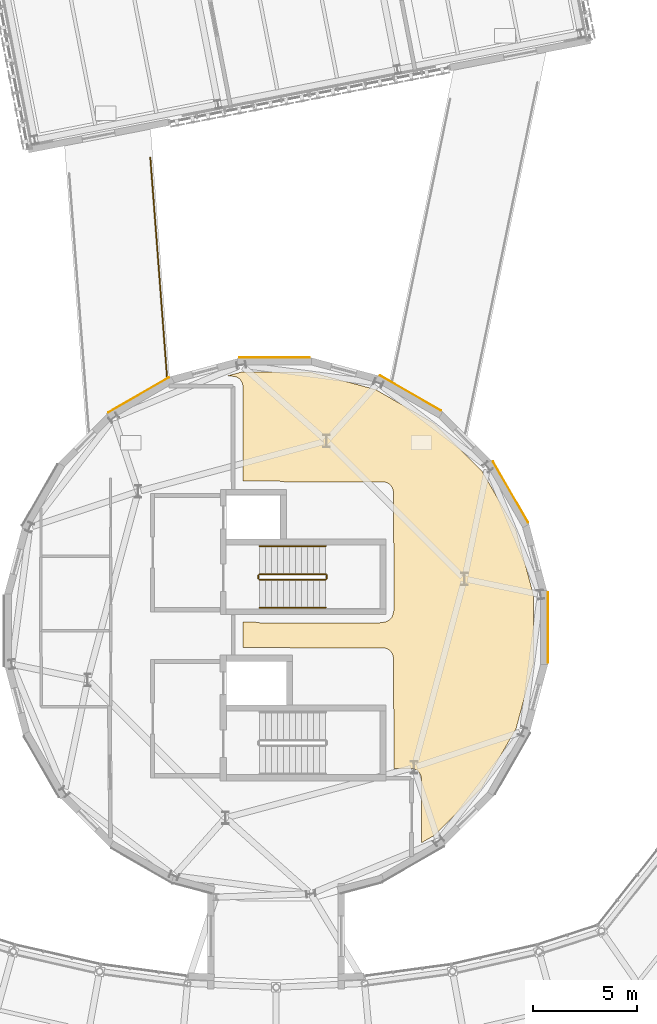
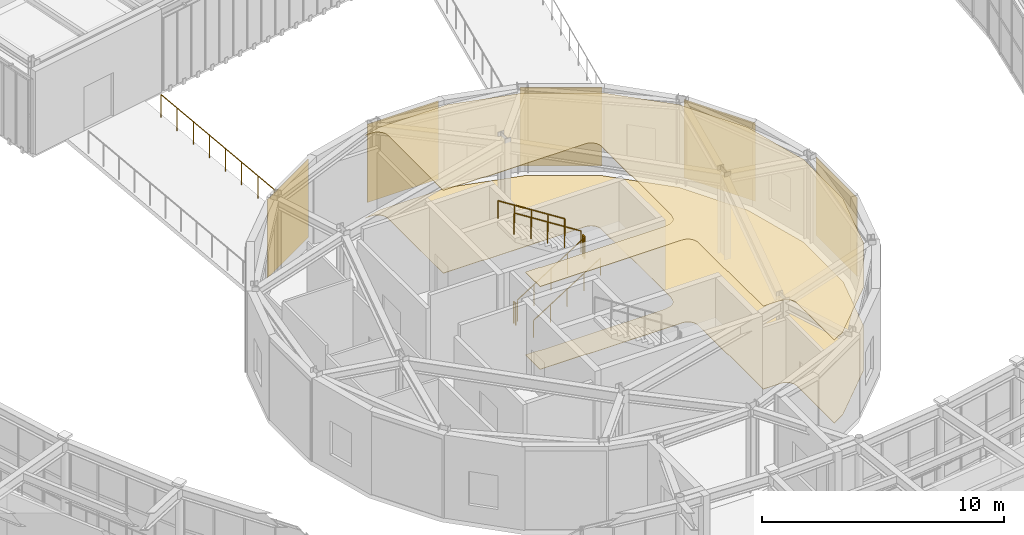
# One storey, part 95 of 103: 7 coverings, 7 railings.
"""IFC4 building model written with IfcOpenShell, lengths in metres."""

from ifc_helpers import new_model, si_unit, direction, frame, origin, origin_2d, place, context, subcontext, project, spatial, polyline, rectangle, circle, outline, extrude, material, layer, layer_set, type_object, element, save


model = new_model("IFC4")

# Units and contexts
model_context = context("Model", 3, precision=1e-05, world=origin(), true_north=direction((0.0, 1.0)))
body_context = subcontext(model_context, "Body", "Model", "MODEL_VIEW")
ifc_project = project(units=[si_unit("LENGTHUNIT", "METRE"), si_unit("AREAUNIT", "SQUARE_METRE"), si_unit("VOLUMEUNIT", "CUBIC_METRE"), si_unit("PLANEANGLEUNIT", "RADIAN"), si_unit("MASSUNIT", "GRAM", prefix="KILO")], contexts=[model_context])

# Site, building, storey
site_placement = place(None, origin())
site = spatial("IfcSite", under=ifc_project, at=site_placement, CompositionType="ELEMENT")
building_placement = place(site_placement, origin())
building = spatial("IfcBuilding", under=site, at=building_placement, Name="Varnklinge Art Gallery", CompositionType="ELEMENT")
storey_placement = place(building_placement, frame((0.0, 0.0, 5.10009765625)))
storey = spatial("IfcBuildingStorey", under=building, at=storey_placement, Name="L01", CompositionType="ELEMENT", Elevation=5.10009765625)

# Railing
ifc_material_1 = material(Name="Anodised Aluminium", Category="aluminium")
railing_type_1 = type_object("IfcRailingType", Name="BAL-EXT", PredefinedType="BALUSTRADE", material=ifc_material_1)
railing_1_placement = place(storey_placement, frame((70.246826171875, 50.636474609375, 0.0)))
element("IfcRailing", 1, at=railing_1_placement, inside=storey, type_object=railing_type_1, Name="L01 West Sculpture Court Bridge Balustrade W1", PredefinedType="BALUSTRADE", context=body_context, shape_type="SweptSolid", body=[
    extrude(circle(Radius=0.02392578125, at=origin_2d()), frame((0.0, 0.0, 1.1357421875), z_axis=(-0.075922017673, 0.997113758421, 0.0), x_axis=(-0.997113758421, -0.075922017673, 0.0)), (0.0, 0.0, 1.0), 10.631103515625),
    extrude(circle(Radius=0.02099609375, at=origin_2d()), origin(), (0.0, 0.0, 1.0), 1.11181640625),
    extrude(circle(Radius=0.02099609375, at=origin_2d()), frame((-0.089599609375, 1.177734375, 0.0)), (0.0, 0.0, 1.0), 1.11181640625),
    extrude(circle(Radius=0.02099609375, at=origin_2d()), frame((-0.179443359375, 2.355712890625, 0.0)), (0.0, 0.0, 1.0), 1.11181640625),
    extrude(circle(Radius=0.02099609375, at=origin_2d()), frame((-0.26904296875, 3.533447265625, 0.0)), (0.0, 0.0, 1.0), 1.11181640625),
    extrude(circle(Radius=0.02099609375, at=origin_2d()), frame((-0.358642578125, 4.711181640625, 0.0)), (0.0, 0.0, 1.0), 1.11181640625),
    extrude(circle(Radius=0.02099609375, at=origin_2d()), frame((-0.448486328125, 5.88916015625, 0.0)), (0.0, 0.0, 1.0), 1.11181640625),
    extrude(circle(Radius=0.02099609375, at=origin_2d()), frame((-0.5380859375, 7.06689453125, 0.0)), (0.0, 0.0, 1.0), 1.11181640625),
    extrude(circle(Radius=0.02099609375, at=origin_2d()), frame((-0.627685546875, 8.24462890625, 0.0)), (0.0, 0.0, 1.0), 1.11181640625),
    extrude(circle(Radius=0.02099609375, at=origin_2d()), frame((-0.717529296875, 9.422607421875, 0.0)), (0.0, 0.0, 1.0), 1.11181640625),
    extrude(circle(Radius=0.02099609375, at=origin_2d()), frame((-0.80712890625, 10.600341796875, 0.0)), (0.0, 0.0, 1.0), 1.11181640625),
])

# Coverings
ifc_material_2 = material(Name="Pre-weathered Zinc", Category="metal")
ifc_layer_1 = layer(ifc_material_2, 0.02490234375)
ifc_layer_set_1 = layer_set([ifc_layer_1], Name="Pre-weathered Zinc")
covering_type_1 = type_object("IfcCoveringType", Name="CLD-ZNC", PredefinedType="CLADDING", material=ifc_layer_set_1)
for number, where, z_axis, x_axis, name in (
    (2, (88.599609375, 38.5849609375, 0.041015625), (0.0, 0.0, 1.0), (0.0, -1.0, 0.0), "L01 Brushed Zinc Drum Cladding EW-V4D-L01-01"),
    (3, (68.876708984375, 49.802001953125, 0.041015625), (0.0, 0.0, 1.0), (0.866025403784, 0.5, 0.0), "L01 Brushed Zinc Drum Cladding EW-V4D-L01-16"),
    (4, (75.4150390625, 51.599609375, 0.041015625), (0.0, 0.0, 1.0), (1.0, 0.0, 0.0), "L01 Brushed Zinc Drum Cladding EW-V4D-L01-18"),
    (5, (81.976318359375, 49.88720703125, 0.041015625), (0.0, 0.0, 1.0), (0.866025403784, -0.5, 0.0), "L01 Brushed Zinc Drum Cladding EW-V4D-L01-20"),
    (6, (86.802001953125, 45.123291015625, 0.041015625), (0.0, 0.0, 1.0), (0.5, -0.866025403784, 0.0), "L01 Brushed Zinc Drum Cladding EW-V4D-L01-22"),
):
    element("IfcCovering", number, at=place(storey_placement, frame(where, z_axis=z_axis, x_axis=x_axis)), inside=storey, type_object=covering_type_1, Name=name, PredefinedType="CLADDING", context=body_context, shape_type="SweptSolid", body=[
        extrude(rectangle(XDim=3.39111328125, YDim=0.02490234375, at=origin_2d()), origin(), (0.0, 0.0, 1.0), 3.949951171875),
    ])
ifc_material_3 = material(Name="Acoustic Mineral Tile", Category="mineral")
ifc_layer_2 = layer(ifc_material_3, 0.02490234375)
ifc_layer_set_2 = layer_set([ifc_layer_2], Name="Acoustic Mineral Tile")
covering_type_2 = type_object("IfcCoveringType", Name="CLG-AC", PredefinedType="CEILING", material=ifc_layer_set_2)
covering_1_placement = place(storey_placement, frame((0.0, 0.0, 4.1748046875)))
element("IfcCovering", 7, at=covering_1_placement, inside=storey, type_object=covering_type_2, Name="L01 Acoustic Mineral Ceiling 025", PredefinedType="CEILING", context=body_context, shape_type="SweptSolid", body=[
    extrude(outline(polyline([(73.39990234375, 50.699951171875), (73.448974609375, 50.697509765625), (73.49755859375, 50.6904296875), (73.545166015625, 50.678466796875), (73.59130859375, 50.661865234375), (73.6357421875, 50.64111328125), (73.677734375, 50.61572265625), (73.71728515625, 50.58642578125), (73.753662109375, 50.5537109375), (73.78662109375, 50.51708984375), (73.815673828125, 50.477783203125), (73.841064453125, 50.435791015625), (73.86181640625, 50.391357421875), (73.87841796875, 50.34521484375), (73.890380859375, 50.297607421875), (73.897705078125, 50.2490234375), (73.89990234375, 50.199951171875), (73.89990234375, 45.639892578125), (75.699951171875, 45.639892578125), (75.7734375, 45.634521484375), (75.82568359375, 45.626708984375), (75.87353515625, 45.6171875), (75.897705078125, 45.610107421875), (80.64990234375, 45.610107421875), (80.698974609375, 45.607666015625), (80.74755859375, 45.600341796875), (80.795166015625, 45.58837890625), (80.84130859375, 45.572021484375), (80.8857421875, 45.551025390625), (80.927734375, 45.525634765625), (80.96728515625, 45.49658203125), (81.003662109375, 45.463623046875), (81.03662109375, 45.42724609375), (81.065673828125, 45.3876953125), (81.091064453125, 45.345703125), (81.11181640625, 45.30126953125), (81.12841796875, 45.255126953125), (81.140380859375, 45.20751953125), (81.147705078125, 45.158935546875), (81.14990234375, 45.110107421875), (81.14990234375, 42.7578125), (81.1572265625, 42.7333984375), (81.166748046875, 42.685546875), (81.174560546875, 42.63330078125), (81.1787109375, 42.5966796875), (81.179931640625, 42.56005859375), (81.179931640625, 39.5), (81.1787109375, 39.463134765625), (81.174560546875, 39.426513671875), (81.166748046875, 39.37451171875), (81.1572265625, 39.326416015625), (81.145751953125, 39.287841796875), (81.140380859375, 39.25244140625), (81.12841796875, 39.204833984375), (81.11181640625, 39.15869140625), (81.091064453125, 39.1142578125), (81.065673828125, 39.072265625), (81.03662109375, 39.03271484375), (81.003662109375, 38.996337890625), (80.96728515625, 38.96337890625), (80.927734375, 38.934326171875), (80.8857421875, 38.908935546875), (80.84130859375, 38.88818359375), (80.795166015625, 38.87158203125), (80.74755859375, 38.859619140625), (80.712158203125, 38.854248046875), (80.673583984375, 38.8427734375), (80.62548828125, 38.833251953125), (80.573486328125, 38.825439453125), (80.5, 38.820068359375), (74.72509765625, 38.820068359375), (74.651611328125, 38.825439453125), (74.599365234375, 38.833251953125), (74.551513671875, 38.8427734375), (74.52734375, 38.85009765625), (73.89990234375, 38.85009765625), (73.89990234375, 37.639892578125), (76.0, 37.639892578125), (76.073486328125, 37.634521484375), (76.12548828125, 37.626708984375), (76.173583984375, 37.6171875), (76.19775390625, 37.610107421875), (80.64990234375, 37.610107421875), (80.698974609375, 37.607666015625), (80.74755859375, 37.600341796875), (80.795166015625, 37.58837890625), (80.84130859375, 37.572021484375), (80.8857421875, 37.551025390625), (80.927734375, 37.525634765625), (80.96728515625, 37.49658203125), (81.003662109375, 37.463623046875), (81.03662109375, 37.42724609375), (81.065673828125, 37.3876953125), (81.091064453125, 37.345703125), (81.11181640625, 37.30126953125), (81.12841796875, 37.255126953125), (81.140380859375, 37.20751953125), (81.147705078125, 37.158935546875), (81.14990234375, 37.110107421875), (81.14990234375, 34.7578125), (81.1572265625, 34.7333984375), (81.166748046875, 34.685546875), (81.174560546875, 34.63330078125), (81.1787109375, 34.5966796875), (81.179931640625, 34.56005859375), (81.179931640625, 31.800048828125), (82.0, 31.800048828125), (82.049072265625, 31.797607421875), (82.097412109375, 31.790283203125), (82.14501953125, 31.778564453125), (82.19140625, 31.761962890625), (82.235595703125, 31.740966796875), (82.27783203125, 31.7158203125), (82.317138671875, 31.6865234375), (82.353515625, 31.653564453125), (82.386474609375, 31.6171875), (82.415771484375, 31.577880859375), (82.44091796875, 31.53564453125), (82.4619140625, 31.4912109375), (82.478515625, 31.445068359375), (82.490478515625, 31.3974609375), (82.49755859375, 31.34912109375), (82.5, 31.300048828125), (82.5, 28.215087890625), (83.1181640625, 28.57177734375), (85.42822265625, 30.8818359375), (87.0615234375, 33.711181640625), (87.906982421875, 36.86669921875), (87.906982421875, 40.13330078125), (87.0615234375, 43.288818359375), (85.42822265625, 46.1181640625), (83.1181640625, 48.42822265625), (80.288818359375, 50.0615234375), (77.13330078125, 50.906982421875), (73.86669921875, 50.906982421875), (73.09375, 50.699951171875), (73.39990234375, 50.699951171875)])), origin(), (0.0, 0.0, 1.0), 0.025146484375),
])
ifc_material_4 = material(Name="Polished Terrazzo Flooring", Category="stone")
ifc_layer_3 = layer(ifc_material_4, 0.02001953125)
ifc_layer_set_3 = layer_set([ifc_layer_3], Name="Polished Terrazzo Flooring")
covering_type_3 = type_object("IfcCoveringType", Name="FLR-STN", PredefinedType="FLOORING", material=ifc_layer_set_3)
covering_2_placement = place(storey_placement, origin())
element("IfcCovering", 8, at=covering_2_placement, inside=storey, type_object=covering_type_3, Name="L01 Gallery Terrazzo Flooring 025", PredefinedType="FLOORING", context=body_context, shape_type="SweptSolid", body=[
    extrude(outline(polyline([(73.39990234375, 50.699951171875), (73.448974609375, 50.697509765625), (73.49755859375, 50.6904296875), (73.545166015625, 50.678466796875), (73.59130859375, 50.661865234375), (73.6357421875, 50.64111328125), (73.677734375, 50.61572265625), (73.71728515625, 50.58642578125), (73.753662109375, 50.5537109375), (73.78662109375, 50.51708984375), (73.815673828125, 50.477783203125), (73.841064453125, 50.435791015625), (73.86181640625, 50.391357421875), (73.87841796875, 50.34521484375), (73.890380859375, 50.297607421875), (73.897705078125, 50.2490234375), (73.89990234375, 50.199951171875), (73.89990234375, 45.639892578125), (75.699951171875, 45.639892578125), (75.7734375, 45.634521484375), (75.82568359375, 45.626708984375), (75.87353515625, 45.6171875), (75.897705078125, 45.610107421875), (80.64990234375, 45.610107421875), (80.698974609375, 45.607666015625), (80.74755859375, 45.600341796875), (80.795166015625, 45.58837890625), (80.84130859375, 45.572021484375), (80.8857421875, 45.551025390625), (80.927734375, 45.525634765625), (80.96728515625, 45.49658203125), (81.003662109375, 45.463623046875), (81.03662109375, 45.42724609375), (81.065673828125, 45.3876953125), (81.091064453125, 45.345703125), (81.11181640625, 45.30126953125), (81.12841796875, 45.255126953125), (81.140380859375, 45.20751953125), (81.147705078125, 45.158935546875), (81.14990234375, 45.110107421875), (81.14990234375, 42.7578125), (81.1572265625, 42.7333984375), (81.166748046875, 42.685546875), (81.174560546875, 42.63330078125), (81.1787109375, 42.5966796875), (81.179931640625, 42.56005859375), (81.179931640625, 39.5), (81.1787109375, 39.463134765625), (81.174560546875, 39.426513671875), (81.166748046875, 39.37451171875), (81.1572265625, 39.326416015625), (81.145751953125, 39.287841796875), (81.140380859375, 39.25244140625), (81.12841796875, 39.204833984375), (81.11181640625, 39.15869140625), (81.091064453125, 39.1142578125), (81.065673828125, 39.072265625), (81.03662109375, 39.03271484375), (81.003662109375, 38.996337890625), (80.96728515625, 38.96337890625), (80.927734375, 38.934326171875), (80.8857421875, 38.908935546875), (80.84130859375, 38.88818359375), (80.795166015625, 38.87158203125), (80.74755859375, 38.859619140625), (80.712158203125, 38.854248046875), (80.673583984375, 38.8427734375), (80.62548828125, 38.833251953125), (80.573486328125, 38.825439453125), (80.5, 38.820068359375), (74.72509765625, 38.820068359375), (74.651611328125, 38.825439453125), (74.599365234375, 38.833251953125), (74.551513671875, 38.8427734375), (74.52734375, 38.85009765625), (73.89990234375, 38.85009765625), (73.89990234375, 37.639892578125), (76.0, 37.639892578125), (76.073486328125, 37.634521484375), (76.12548828125, 37.626708984375), (76.173583984375, 37.6171875), (76.19775390625, 37.610107421875), (80.64990234375, 37.610107421875), (80.698974609375, 37.607666015625), (80.74755859375, 37.600341796875), (80.795166015625, 37.58837890625), (80.84130859375, 37.572021484375), (80.8857421875, 37.551025390625), (80.927734375, 37.525634765625), (80.96728515625, 37.49658203125), (81.003662109375, 37.463623046875), (81.03662109375, 37.42724609375), (81.065673828125, 37.3876953125), (81.091064453125, 37.345703125), (81.11181640625, 37.30126953125), (81.12841796875, 37.255126953125), (81.140380859375, 37.20751953125), (81.147705078125, 37.158935546875), (81.14990234375, 37.110107421875), (81.14990234375, 34.7578125), (81.1572265625, 34.7333984375), (81.166748046875, 34.685546875), (81.174560546875, 34.63330078125), (81.1787109375, 34.5966796875), (81.179931640625, 34.56005859375), (81.179931640625, 31.800048828125), (82.0, 31.800048828125), (82.049072265625, 31.797607421875), (82.097412109375, 31.790283203125), (82.14501953125, 31.778564453125), (82.19140625, 31.761962890625), (82.235595703125, 31.740966796875), (82.27783203125, 31.7158203125), (82.317138671875, 31.6865234375), (82.353515625, 31.653564453125), (82.386474609375, 31.6171875), (82.415771484375, 31.577880859375), (82.44091796875, 31.53564453125), (82.4619140625, 31.4912109375), (82.478515625, 31.445068359375), (82.490478515625, 31.3974609375), (82.49755859375, 31.34912109375), (82.5, 31.300048828125), (82.5, 28.215087890625), (83.1181640625, 28.57177734375), (85.42822265625, 30.8818359375), (87.0615234375, 33.711181640625), (87.906982421875, 36.86669921875), (87.906982421875, 40.13330078125), (87.0615234375, 43.288818359375), (85.42822265625, 46.1181640625), (83.1181640625, 48.42822265625), (80.288818359375, 50.0615234375), (77.13330078125, 50.906982421875), (73.86669921875, 50.906982421875), (73.09375, 50.699951171875), (73.39990234375, 50.699951171875)])), origin(), (0.0, 0.0, 1.0), 0.02001953125),
])

# Railings
ifc_material_5 = material(Name="Steel S355", Category="steel")
railing_type_2 = type_object("IfcRailingType", Name="GR-INT", PredefinedType="GUARDRAIL", material=ifc_material_5)
railing_2_placement = place(storey_placement, frame((74.699951171875, 40.89990234375, 0.18408203125)))
element("IfcRailing", 9, at=railing_2_placement, inside=storey, type_object=railing_type_2, Name="L01 ST-02 stair guard 1", PredefinedType="GUARDRAIL", context=body_context, shape_type="SweptSolid", body=[
    extrude(circle(Radius=0.02392578125, at=origin_2d()), frame((0.0, 0.0, 1.076171875), z_axis=(0.844150627541, 0.0, 0.536106069749), x_axis=(0.0, 1.0, 0.0)), (0.0, 0.0, 1.0), 3.77880859375),
    extrude(circle(Radius=0.02099609375, at=origin_2d()), origin(), (0.0, 0.0, 1.0), 1.052001953125),
    extrude(circle(Radius=0.02099609375, at=origin_2d()), frame((0.79736328125, 0.0, 0.50634765625)), (0.0, 0.0, 1.0), 1.052001953125),
    extrude(circle(Radius=0.02099609375, at=origin_2d()), frame((1.594970703125, 0.0, 1.012939453125)), (0.0, 0.0, 1.0), 1.052001953125),
    extrude(circle(Radius=0.02099609375, at=origin_2d()), frame((2.392578125, 0.0, 1.51953125)), (0.0, 0.0, 1.0), 1.052001953125),
    extrude(circle(Radius=0.02099609375, at=origin_2d()), frame((3.18994140625, 0.0, 2.02587890625)), (0.0, 0.0, 1.0), 1.052001953125),
])
railing_3_placement = place(storey_placement, frame((77.93994140625, 40.949951171875, 2.2099609375)))
element("IfcRailing", 10, at=railing_3_placement, inside=storey, type_object=railing_type_2, Name="L01 ST-02 stair guard 2", PredefinedType="GUARDRAIL", context=body_context, shape_type="SweptSolid", body=[
    extrude(circle(Radius=0.02392578125, at=origin_2d()), frame((0.0, 0.0, 1.076171875), z_axis=(0.0, 1.0, 0.0), x_axis=(-1.0, 0.0, 0.0)), (0.0, 0.0, 1.0), 0.16015625),
    extrude(circle(Radius=0.02099609375, at=origin_2d()), origin(), (0.0, 0.0, 1.0), 1.052001953125),
    extrude(circle(Radius=0.02099609375, at=origin_2d()), frame((0.0, 0.16015625, 0.0)), (0.0, 0.0, 1.0), 1.052001953125),
])
railing_4_placement = place(storey_placement, frame((77.889892578125, 41.159912109375, 2.39404296875)))
element("IfcRailing", 11, at=railing_4_placement, inside=storey, type_object=railing_type_2, Name="L01 ST-02 stair guard 3", PredefinedType="GUARDRAIL", context=body_context, shape_type="SweptSolid", body=[
    extrude(circle(Radius=0.02392578125, at=origin_2d()), frame((0.0, 0.0, 1.076171875), z_axis=(-0.844150627541, 0.0, 0.536106069749), x_axis=(0.0, -1.0, 0.0)), (0.0, 0.0, 1.0), 3.77880859375),
    extrude(circle(Radius=0.02099609375, at=origin_2d()), origin(), (0.0, 0.0, 1.0), 1.052001953125),
    extrude(circle(Radius=0.02099609375, at=origin_2d()), frame((-0.79736328125, 0.0, 0.50634765625)), (0.0, 0.0, 1.0), 1.052001953125),
    extrude(circle(Radius=0.02099609375, at=origin_2d()), frame((-1.594970703125, 0.0, 1.012939453125)), (0.0, 0.0, 1.0), 1.052001953125),
    extrude(circle(Radius=0.02099609375, at=origin_2d()), frame((-2.392578125, 0.0, 1.51953125)), (0.0, 0.0, 1.0), 1.052001953125),
    extrude(circle(Radius=0.02099609375, at=origin_2d()), frame((-3.18994140625, 0.0, 2.02587890625)), (0.0, 0.0, 1.0), 1.052001953125),
])
railing_5_placement = place(storey_placement, frame((74.64990234375, 40.949951171875, 0.0)))
element("IfcRailing", 12, at=railing_5_placement, inside=storey, type_object=railing_type_2, Name="L01 ST-02 stair guard 4", PredefinedType="GUARDRAIL", context=body_context, shape_type="SweptSolid", body=[
    extrude(circle(Radius=0.02392578125, at=origin_2d()), frame((0.0, 0.0, 1.076171875), z_axis=(0.0, 1.0, 0.0), x_axis=(-1.0, 0.0, 0.0)), (0.0, 0.0, 1.0), 0.16015625),
    extrude(circle(Radius=0.02099609375, at=origin_2d()), origin(), (0.0, 0.0, 1.0), 1.052001953125),
    extrude(circle(Radius=0.02099609375, at=origin_2d()), frame((0.0, 0.16015625, 0.0)), (0.0, 0.0, 1.0), 1.052001953125),
])
ifc_material_6 = material(Name="Steel S355", Category="steel")
railing_type_3 = type_object("IfcRailingType", Name="HR-01", PredefinedType="HANDRAIL", material=ifc_material_6)
railing_6_placement = place(storey_placement, frame((74.699951171875, 39.550048828125, 0.18408203125)))
element("IfcRailing", 13, at=railing_6_placement, inside=storey, type_object=railing_type_3, Name="L01 ST-02 stair handrail 1", PredefinedType="HANDRAIL", context=body_context, shape_type="SweptSolid", body=[
    extrude(circle(Radius=0.02392578125, at=origin_2d()), frame((0.0, 0.0, 0.8759765625), z_axis=(0.844150627541, 0.0, 0.536106069749), x_axis=(0.0, 1.0, 0.0)), (0.0, 0.0, 1.0), 3.77880859375),
    extrude(circle(Radius=0.02099609375, at=origin_2d()), origin(), (0.0, 0.0, 1.0), 0.851806640625),
    extrude(circle(Radius=0.02099609375, at=origin_2d()), frame((0.79736328125, 0.0, 0.50634765625)), (0.0, 0.0, 1.0), 0.851806640625),
    extrude(circle(Radius=0.02099609375, at=origin_2d()), frame((1.594970703125, 0.0, 1.012939453125)), (0.0, 0.0, 1.0), 0.851806640625),
    extrude(circle(Radius=0.02099609375, at=origin_2d()), frame((2.392578125, 0.0, 1.51953125)), (0.0, 0.0, 1.0), 0.851806640625),
    extrude(circle(Radius=0.02099609375, at=origin_2d()), frame((3.18994140625, 0.0, 2.02587890625)), (0.0, 0.0, 1.0), 0.851806640625),
])
railing_7_placement = place(storey_placement, frame((77.889892578125, 42.510009765625, 2.39404296875)))
element("IfcRailing", 14, at=railing_7_placement, inside=storey, type_object=railing_type_3, Name="L01 ST-02 stair handrail 2", PredefinedType="HANDRAIL", context=body_context, shape_type="SweptSolid", body=[
    extrude(circle(Radius=0.02392578125, at=origin_2d()), frame((0.0, 0.0, 0.8759765625), z_axis=(-0.844150627541, 0.0, 0.536106069749), x_axis=(0.0, -1.0, 0.0)), (0.0, 0.0, 1.0), 3.77880859375),
    extrude(circle(Radius=0.02099609375, at=origin_2d()), origin(), (0.0, 0.0, 1.0), 0.851806640625),
    extrude(circle(Radius=0.02099609375, at=origin_2d()), frame((-0.79736328125, 0.0, 0.50634765625)), (0.0, 0.0, 1.0), 0.851806640625),
    extrude(circle(Radius=0.02099609375, at=origin_2d()), frame((-1.594970703125, 0.0, 1.012939453125)), (0.0, 0.0, 1.0), 0.851806640625),
    extrude(circle(Radius=0.02099609375, at=origin_2d()), frame((-2.392578125, 0.0, 1.51953125)), (0.0, 0.0, 1.0), 0.851806640625),
    extrude(circle(Radius=0.02099609375, at=origin_2d()), frame((-3.18994140625, 0.0, 2.02587890625)), (0.0, 0.0, 1.0), 0.851806640625),
])

save(model, "model.ifc")
